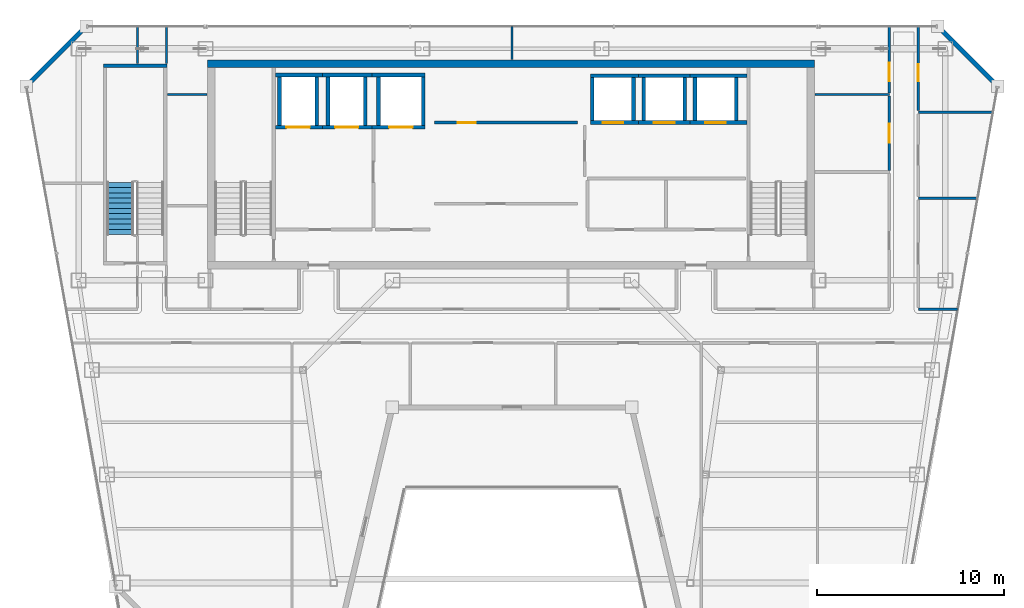
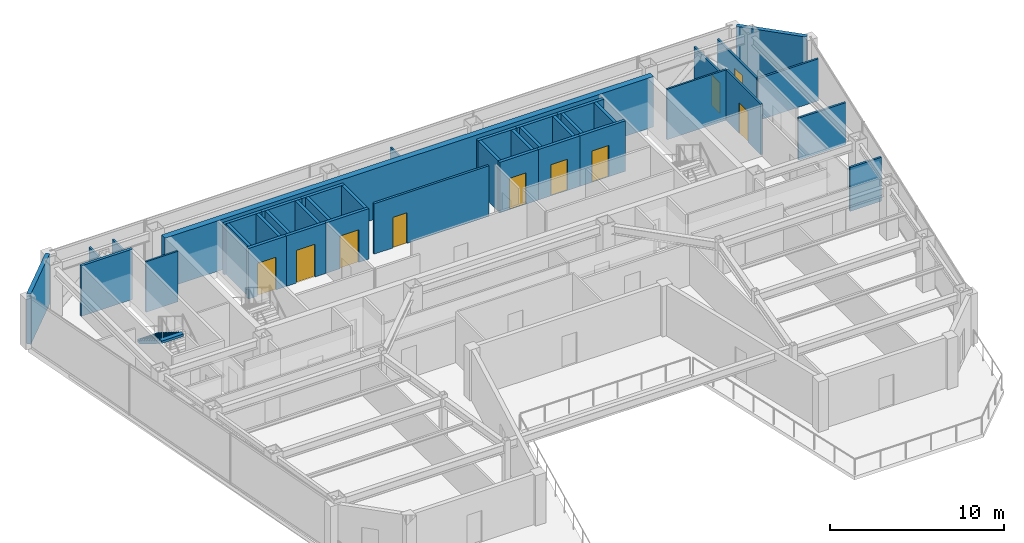
# One storey, part 22 of 28: 40 walls, 10 doors, 1 stair flight, 10 openings, 1 element without a shape of its own.
"""IFC4 building model written with IfcOpenShell, lengths in metres."""

from ifc_helpers import new_model, si_unit, direction, frame, frame_2d, origin, place, context, subcontext, project, spatial, polyline, rectangle, outline, extrude, material, layer, layer_set, type_object, element, fill, aggregate, save


model = new_model("IFC4")

# Units and contexts
model_context = context("Model", 3, precision=1e-05, world=origin(), true_north=direction((0.0, 1.0)))
body_context = subcontext(model_context, "Body", "Model", "MODEL_VIEW")
ifc_project = project(units=[si_unit("LENGTHUNIT", "METRE"), si_unit("AREAUNIT", "SQUARE_METRE"), si_unit("VOLUMEUNIT", "CUBIC_METRE"), si_unit("PLANEANGLEUNIT", "RADIAN"), si_unit("MASSUNIT", "GRAM", prefix="KILO")], contexts=[model_context])

# Site, building, storey
site_placement = place(None, origin())
site = spatial("IfcSite", under=ifc_project, at=site_placement, CompositionType="ELEMENT")
building_placement = place(site_placement, origin())
building = spatial("IfcBuilding", under=site, at=building_placement, Name="Saevonmaru Cultural Tower", CompositionType="ELEMENT")
storey_placement = place(building_placement, frame((0.0, 0.0, 253.39990234375)))
storey = spatial("IfcBuildingStorey", under=building, at=storey_placement, Name="L59", CompositionType="ELEMENT", Elevation=253.39990234375)

# Wall
ifc_material_1 = material(Name="Concrete C50/60", Category="concrete")
ifc_layer_1 = layer(ifc_material_1, 0.39990234375, Name="Concrete C50/60")
ifc_layer_set_1 = layer_set([ifc_layer_1], Name="Concrete C50/60")
wall_type_1 = type_object("IfcWallType", Name="WL-CORE-400", PredefinedType="SHEAR", material=ifc_layer_set_1)
wall_1_placement = place(storey_placement, frame((13.699951171875, 54.0, 0.0), z_axis=(0.0, 0.0, 1.0), x_axis=(1.0, 0.0, 0.0)))
element("IfcWall", 1, at=wall_1_placement, inside=storey, type_object=wall_type_1, Name="L59 Tower RC core shear wall N", PredefinedType="SHEAR", context=body_context, shape_type="SweptSolid", body=[
    extrude(rectangle(XDim=32.5, YDim=0.39990234375, at=frame_2d((16.25, 0.0))), origin(), (0.0, 0.0, 1.0), 3.550048828125),
])

# Wall, opening, door
ifc_material_2 = material(Name="Gypsum Fireboard Partition", Category="gypsum")
ifc_layer_2 = layer(ifc_material_2, 0.14990234375, Name="Gypsum Fireboard Partition")
ifc_layer_set_2 = layer_set([ifc_layer_2], Name="Gypsum Fireboard Partition")
wall_type_2 = type_object("IfcWallType", Name="WL-CORE-PART-150", PredefinedType="PARTITIONING", material=ifc_layer_set_2)
wall_2_placement = place(storey_placement, frame((25.85009765625, 50.85009765625, 0.0), z_axis=(0.0, 0.0, 1.0), x_axis=(1.0, 0.0, 0.0)))
wall_2 = element("IfcWall", 2, at=wall_2_placement, inside=storey, type_object=wall_type_2, Name="L59 Reclaimed Core Room South Wall", PredefinedType="PARTITIONING", context=body_context, shape_type="SweptSolid", body=[
    extrude(rectangle(XDim=7.64990234375, YDim=0.14990234375, at=frame_2d((3.824951171875, 0.0))), origin(), (0.0, 0.0, 1.0), 3.550048828125),
])
opening_1_placement = place(wall_2_placement, frame((1.25, 0.0, 0.0)))
opening_1 = element("IfcOpeningElement", 3, at=opening_1_placement, cuts=wall_2, Name="Opening FD-4", PredefinedType="OPENING", context=body_context, shape_type="SweptSolid", body=[
    extrude(rectangle(XDim=0.949951171875, YDim=2.14990234375, at=frame_2d((0.47509765625, 1.074951171875))), frame((0.0, 0.0849609375, 0.0), z_axis=(0.0, -1.0, 0.0), x_axis=(1.0, 0.0, 0.0)), (0.0, 0.0, 1.0), 0.169921875),
])
ifc_material_3 = material(Name="Satin Bronze Anodised Aluminium", Category="aluminium")
door_type_1 = type_object("IfcDoorType", Name="DR-FD60-950", OperationType="SINGLE_SWING_LEFT", PredefinedType="DOOR", material=ifc_material_3)
door_1_placement = place(opening_1_placement, origin())
door_1 = element("IfcDoor", 4, at=door_1_placement, inside=storey, type_object=door_type_1, Name="L59 Reclaimed Archive Vault Door", OperationType="SINGLE_SWING_LEFT", OverallHeight=2.14990234375, OverallWidth=0.949951171875, PredefinedType="DOOR", context=body_context, shape_type="SweptSolid", body=[
    extrude(rectangle(XDim=0.949951171875, YDim=2.14990234375, at=frame_2d((0.47509765625, 1.074951171875))), frame((0.0, 0.02490234375, 0.0), z_axis=(0.0, -1.0, 0.0), x_axis=(1.0, 0.0, 0.0)), (0.0, 0.0, 1.0), 0.050048828125),
])
fill(opening_1, door_1)

# Walls
ifc_material_4 = material(Name="Granite-Clad Precast Concrete C40/50", Category="masonry")
ifc_layer_3 = layer(ifc_material_4, 0.260009765625, Name="Granite-Clad Precast Concrete C40/50")
ifc_layer_set_3 = layer_set([ifc_layer_3], Name="Granite-Clad Precast Concrete C40/50")
wall_type_3 = type_object("IfcWallType", Name="WL-EXT-SPANDREL-260", PredefinedType="STANDARD", material=ifc_layer_set_3)
for number, where, z_axis, x_axis, name in (
    (5, (55.886962890625, 52.9130859375, 0.0), (0.0, 0.0, 1.0), (-0.707106781187, 0.707106781187, 0.0), "L59 Chamfer Corner Spandrel Wall E9"),
    (6, (7.0869140625, 55.886962890625, 0.0), (0.0, 0.0, 1.0), (-0.707106781187, -0.707106781187, 0.0), "L59 Chamfer Corner Spandrel Wall E11"),
):
    element("IfcWall", number, at=place(storey_placement, frame(where, z_axis=z_axis, x_axis=x_axis)), inside=storey, type_object=wall_type_3, Name=name, PredefinedType="STANDARD", context=body_context, shape_type="SweptSolid", body=[
        extrude(rectangle(XDim=4.205810546875, YDim=0.260009765625, at=frame_2d((2.10302734375, 0.0))), origin(), (0.0, 0.0, 1.0), 3.550048828125),
    ])
ifc_layer_4 = layer(ifc_material_2, 0.1201171875, Name="Gypsum Fireboard Partition")
ifc_layer_set_4 = layer_set([ifc_layer_4], Name="Gypsum Fireboard Partition")
wall_type_4 = type_object("IfcWallType", Name="WL-PART-GYP-120", PredefinedType="PARTITIONING", material=ifc_layer_set_4)
wall_3_placement = place(storey_placement, frame((46.219970703125, 52.35009765625, 0.0), z_axis=(0.0, 0.0, 1.0), x_axis=(1.0, 0.0, 0.0)))
element("IfcWall", 7, at=wall_3_placement, inside=storey, type_object=wall_type_4, Name="L59 North-East Panorama South Wall", PredefinedType="PARTITIONING", context=body_context, shape_type="SweptSolid", body=[
    extrude(rectangle(XDim=3.97998046875, YDim=0.1201171875, at=frame_2d((1.989990234375, 0.0))), origin(), (0.0, 0.0, 1.0), 3.550048828125),
])
wall_4_placement = place(storey_placement, frame((11.550048828125, 52.35009765625, 0.0), z_axis=(0.0, 0.0, 1.0), x_axis=(1.0, 0.0, 0.0)))
element("IfcWall", 8, at=wall_4_placement, inside=storey, type_object=wall_type_4, Name="L59 North-West Panorama South Wall", PredefinedType="PARTITIONING", context=body_context, shape_type="SweptSolid", body=[
    extrude(rectangle(XDim=2.1298828125, YDim=0.1201171875, at=frame_2d((1.06494140625, 0.0))), origin(), (0.0, 0.0, 1.0), 3.550048828125),
])
wall_5_placement = place(storey_placement, frame((30.0, 54.219970703125, 0.0), z_axis=(0.0, 0.0, 1.0), x_axis=(0.0, 1.0, 0.0)))
element("IfcWall", 9, at=wall_5_placement, inside=storey, type_object=wall_type_4, Name="L59 North Panorama Center Split", PredefinedType="PARTITIONING", context=body_context, shape_type="SweptSolid", body=[
    extrude(rectangle(XDim=1.775146484375, YDim=0.1201171875, at=frame_2d((0.8876953125, 0.0))), origin(), (0.0, 0.0, 1.0), 2.93505859375),
])

# Wall, opening, door
wall_6_placement = place(storey_placement, frame((50.199951171875, 48.2900390625, 0.0), z_axis=(0.0, 0.0, 1.0), x_axis=(0.0, 1.0, 0.0)))
wall_6 = element("IfcWall", 10, at=wall_6_placement, inside=storey, type_object=wall_type_4, Name="L59 Museum Espresso Cafe Corridor Wall", PredefinedType="PARTITIONING", context=body_context, shape_type="SweptSolid", body=[
    extrude(rectangle(XDim=3.97998046875, YDim=0.1201171875, at=frame_2d((1.989990234375, 0.0))), origin(), (0.0, 0.0, 1.0), 3.550048828125),
])
opening_2_placement = place(wall_6_placement, frame((1.489990234375, 0.0, 0.0)))
opening_2 = element("IfcOpeningElement", 11, at=opening_2_placement, cuts=wall_6, Name="Opening ID-1B", PredefinedType="OPENING", context=body_context, shape_type="SweptSolid", body=[
    extrude(rectangle(XDim=1.0, YDim=2.14990234375, at=frame_2d((0.5, 1.074951171875))), frame((0.0, 0.070068359375, 0.0), z_axis=(0.0, -1.0, 0.0), x_axis=(1.0, 0.0, 0.0)), (0.0, 0.0, 1.0), 0.14013671875),
])
ifc_material_5 = material(Name="Acoustic Stained Oak Timber", Category="wood")
door_type_2 = type_object("IfcDoorType", Name="DR-INT-1000", OperationType="SINGLE_SWING_RIGHT", PredefinedType="DOOR", material=ifc_material_5)
door_2_placement = place(opening_2_placement, origin())
door_2 = element("IfcDoor", 12, at=door_2_placement, inside=storey, type_object=door_type_2, Name="L59 Museum Espresso Cafe Door", OperationType="SINGLE_SWING_LEFT", OverallHeight=2.14990234375, OverallWidth=1.0, PredefinedType="DOOR", context=body_context, shape_type="SweptSolid", body=[
    extrude(rectangle(XDim=1.0, YDim=2.14990234375, at=frame_2d((0.5, 1.074951171875))), frame((0.0, 0.02490234375, 0.0), z_axis=(0.0, -1.0, 0.0), x_axis=(1.0, 0.0, 0.0)), (0.0, 0.0, 1.0), 0.050048828125),
])
fill(opening_2, door_2)

wall_7_placement = place(storey_placement, frame((50.199951171875, 52.429931640625, 0.0), z_axis=(0.0, 0.0, 1.0), x_axis=(0.0, 1.0, 0.0)))
wall_7 = element("IfcWall", 13, at=wall_7_placement, inside=storey, type_object=wall_type_4, Name="L59 Panoramic Salon Restaurant Corridor Wall", PredefinedType="PARTITIONING", context=body_context, shape_type="SweptSolid", body=[
    extrude(rectangle(XDim=3.565185546875, YDim=0.1201171875, at=frame_2d((1.78271484375, 0.0))), origin(), (0.0, 0.0, 1.0), 2.93505859375),
])
opening_3_placement = place(wall_7_placement, frame((0.6220703125, 0.0, 0.0)))
opening_3 = element("IfcOpeningElement", 14, at=opening_3_placement, cuts=wall_7, Name="Opening ID-1B", PredefinedType="OPENING", context=body_context, shape_type="SweptSolid", body=[
    extrude(rectangle(XDim=1.0, YDim=2.14990234375, at=frame_2d((0.5, 1.074951171875))), frame((0.0, 0.070068359375, 0.0), z_axis=(0.0, -1.0, 0.0), x_axis=(1.0, 0.0, 0.0)), (0.0, 0.0, 1.0), 0.14013671875),
])
door_3_placement = place(opening_3_placement, origin())
door_3 = element("IfcDoor", 15, at=door_3_placement, inside=storey, type_object=door_type_2, Name="L59 Panoramic Salon Restaurant Door", OperationType="SINGLE_SWING_RIGHT", OverallHeight=2.14990234375, OverallWidth=1.0, PredefinedType="DOOR", context=body_context, shape_type="SweptSolid", body=[
    extrude(rectangle(XDim=1.0, YDim=2.14990234375, at=frame_2d((0.5, 1.074951171875))), frame((0.0, 0.02490234375, 0.0), z_axis=(0.0, -1.0, 0.0), x_axis=(1.0, 0.0, 0.0)), (0.0, 0.0, 1.0), 0.050048828125),
])
fill(opening_3, door_3)

# Walls
for number, where, z_axis, x_axis, name in (
    (16, (11.5, 54.0, 0.0), (0.0, 0.0, 1.0), (0.0, 1.0, 0.0), "L59 Terrace Overlook Cafe Corridor Wall"),
    (17, (9.949951171875, 54.0, 0.0), (0.0, 0.0, 1.0), (0.0, 1.0, 0.0), "L59 Panoramic Salon Restaurant Corridor Wall"),
):
    element("IfcWall", number, at=place(storey_placement, frame(where, z_axis=z_axis, x_axis=x_axis)), inside=storey, type_object=wall_type_4, Name=name, PredefinedType="PARTITIONING", context=body_context, shape_type="SweptSolid", body=[
        extrude(rectangle(XDim=1.9951171875, YDim=0.1201171875, at=frame_2d((0.99755859375, 0.0))), origin(), (0.0, 0.0, 1.0), 2.93505859375),
    ])

# Wall, opening, door
wall_8_placement = place(storey_placement, frame((51.75, 51.487548828125, 0.0), z_axis=(0.0, 0.0, 1.0), x_axis=(0.0, 1.0, 0.0)))
wall_8 = element("IfcWall", 18, at=wall_8_placement, inside=storey, type_object=wall_type_4, Name="L59 Visiting Fellows Office Corridor Wall", PredefinedType="PARTITIONING", context=body_context, shape_type="SweptSolid", body=[
    extrude(rectangle(XDim=4.507568359375, YDim=0.1201171875, at=frame_2d((2.25390625, 0.0))), origin(), (0.0, 0.0, 1.0), 2.93505859375),
])
opening_4_placement = place(wall_8_placement, frame((1.583984375, 0.0, 0.0)))
opening_4 = element("IfcOpeningElement", 19, at=opening_4_placement, cuts=wall_8, Name="Opening ID-2", PredefinedType="OPENING", context=body_context, shape_type="SweptSolid", body=[
    extrude(rectangle(XDim=0.89990234375, YDim=2.10009765625, at=frame_2d((0.449951171875, 1.050048828125))), frame((0.0, 0.070068359375, 0.0), z_axis=(0.0, -1.0, 0.0), x_axis=(1.0, 0.0, 0.0)), (0.0, 0.0, 1.0), 0.14013671875),
])
door_type_3 = type_object("IfcDoorType", Name="DR-INT-900", OperationType="SINGLE_SWING_RIGHT", PredefinedType="DOOR", material=ifc_material_5)
door_4_placement = place(opening_4_placement, origin())
door_4 = element("IfcDoor", 20, at=door_4_placement, inside=storey, type_object=door_type_3, Name="L59 Visiting Fellows Office Door", OperationType="SINGLE_SWING_LEFT", OverallHeight=2.10009765625, OverallWidth=0.89990234375, PredefinedType="DOOR", context=body_context, shape_type="SweptSolid", body=[
    extrude(rectangle(XDim=0.89990234375, YDim=2.10009765625, at=frame_2d((0.449951171875, 1.050048828125))), frame((0.0, 0.02490234375, 0.0), z_axis=(0.0, -1.0, 0.0), x_axis=(1.0, 0.0, 0.0)), (0.0, 0.0, 1.0), 0.050048828125),
])
fill(opening_4, door_4)

# Walls
ifc_layer_5 = layer(ifc_material_2, 0.135009765625, Name="Gypsum Fireboard Partition")
ifc_layer_set_5 = layer_set([ifc_layer_5], Name="Gypsum Fireboard Partition")
wall_type_5 = type_object("IfcWallType", Name="WL-PART-GYP-135", PredefinedType="PARTITIONING", material=ifc_layer_set_5)
wall_9_placement = place(storey_placement, frame((51.75, 40.85009765625, 0.0), z_axis=(0.0, 0.0, 1.0), x_axis=(1.0, 0.0, 0.0)))
element("IfcWall", 21, at=wall_9_placement, inside=storey, type_object=wall_type_5, Name="L59 NE Wing South Wall", PredefinedType="PARTITIONING", context=body_context, shape_type="SweptSolid", body=[
    extrude(rectangle(XDim=2.106689453125, YDim=0.135009765625, at=frame_2d((1.05322265625, 0.0))), origin(), (0.0, 0.0, 1.0), 3.085205078125),
])
wall_10_placement = place(storey_placement, frame((51.75, 46.800048828125, 0.0), z_axis=(0.0, 0.0, 1.0), x_axis=(1.0, 0.0, 0.0)))
element("IfcWall", 22, at=wall_10_placement, inside=storey, type_object=wall_type_5, Name="L59 NE Studio Divider 1", PredefinedType="PARTITIONING", context=body_context, shape_type="SweptSolid", body=[
    extrude(rectangle(XDim=3.17138671875, YDim=0.135009765625, at=frame_2d((1.585693359375, 0.0))), origin(), (0.0, 0.0, 1.0), 2.947021484375),
])
wall_11_placement = place(storey_placement, frame((51.75, 51.39990234375, 0.0), z_axis=(0.0, 0.0, 1.0), x_axis=(1.0, 0.0, 0.0)))
element("IfcWall", 23, at=wall_11_placement, inside=storey, type_object=wall_type_5, Name="L59 NE Studio Divider 2", PredefinedType="PARTITIONING", context=body_context, shape_type="SweptSolid", body=[
    extrude(rectangle(XDim=3.994384765625, YDim=0.135009765625, at=frame_2d((1.9970703125, 0.0))), origin(), (0.0, 0.0, 1.0), 2.947021484375),
])

# Wall, opening, door
ifc_material_6 = material(Name="Concrete C40/50", Category="concrete")
ifc_layer_6 = layer(ifc_material_6, 0.199951171875, Name="Concrete C40/50")
ifc_layer_set_6 = layer_set([ifc_layer_6], Name="Concrete C40/50")
wall_type_6 = type_object("IfcWallType", Name="WL-SHAFT-200", PredefinedType="SHEAR", material=ifc_layer_set_6)
wall_12_placement = place(storey_placement, frame((17.330078125, 50.60009765625, 0.0), z_axis=(0.0, 0.0, 1.0), x_axis=(1.0, 0.0, 0.0)))
wall_12 = element("IfcWall", 24, at=wall_12_placement, inside=storey, type_object=wall_type_6, Name="L59 Lift FFL-1 Hoistway Wall S", PredefinedType="SHEAR", context=body_context, shape_type="SweptSolid", body=[
    extrude(rectangle(XDim=2.52001953125, YDim=0.199951171875, at=frame_2d((1.260009765625, 0.0))), origin(), (0.0, 0.0, 1.0), 3.550048828125),
])
opening_5_placement = place(wall_12_placement, frame((0.594970703125, 0.0, 0.0)))
opening_5 = element("IfcOpeningElement", 25, at=opening_5_placement, cuts=wall_12, Name="Opening LD-2", PredefinedType="OPENING", context=body_context, shape_type="SweptSolid", body=[
    extrude(rectangle(XDim=1.25, YDim=2.300048828125, at=frame_2d((0.625, 1.14990234375))), frame((0.0, 0.10986328125, 0.0), z_axis=(0.0, -1.0, 0.0), x_axis=(1.0, 0.0, 0.0)), (0.0, 0.0, 1.0), 0.219970703125),
])
ifc_material_7 = material(Name="Stainless Steel 316", Category="steel")
door_type_4 = type_object("IfcDoorType", Name="DR-LIFT-1250", OperationType="SLIDING_TO_LEFT", PredefinedType="DOOR", material=ifc_material_7)
door_5_placement = place(opening_5_placement, origin())
door_5 = element("IfcDoor", 26, at=door_5_placement, inside=storey, type_object=door_type_4, Name="L59 Lift FFL-1 Sliding Landing Door", OperationType="SLIDING_TO_LEFT", OverallHeight=2.300048828125, OverallWidth=1.25, PredefinedType="DOOR", context=body_context, shape_type="SweptSolid", body=[
    extrude(rectangle(XDim=1.25, YDim=2.300048828125, at=frame_2d((0.625, 1.14990234375))), frame((0.0, 0.02490234375, 0.0), z_axis=(0.0, -1.0, 0.0), x_axis=(1.0, 0.0, 0.0)), (0.0, 0.0, 1.0), 0.050048828125),
])
fill(opening_5, door_5)

# Walls
wall_13_placement = place(storey_placement, frame((17.330078125, 53.39990234375, 0.0), z_axis=(0.0, 0.0, 1.0), x_axis=(1.0, 0.0, 0.0)))
element("IfcWall", 27, at=wall_13_placement, inside=storey, type_object=wall_type_6, Name="L59 Lift FFL-1 Hoistway Wall N", PredefinedType="SHEAR", context=body_context, shape_type="SweptSolid", body=[
    extrude(rectangle(XDim=2.52001953125, YDim=0.199951171875, at=frame_2d((1.260009765625, 0.0))), origin(), (0.0, 0.0, 1.0), 3.550048828125),
])
for number, where, z_axis, x_axis, name in (
    (28, (17.550048828125, 50.699951171875, 0.0), (0.0, 0.0, 1.0), (0.0, 1.0, 0.0), "L59 Lift FFL-1 Hoistway Wall W"),
    (29, (19.550048828125, 50.699951171875, 0.0), (0.0, 0.0, 1.0), (0.0, 1.0, 0.0), "L59 Lift FFL-1 Hoistway Wall E"),
):
    element("IfcWall", number, at=place(storey_placement, frame(where, z_axis=z_axis, x_axis=x_axis)), inside=storey, type_object=wall_type_6, Name=name, PredefinedType="SHEAR", context=body_context, shape_type="SweptSolid", body=[
        extrude(rectangle(XDim=2.60009765625, YDim=0.199951171875, at=frame_2d((1.300048828125, 0.0))), origin(), (0.0, 0.0, 1.0), 3.550048828125),
    ])

# Wall, opening, door
wall_14_placement = place(storey_placement, frame((19.85009765625, 50.60009765625, 0.0), z_axis=(0.0, 0.0, 1.0), x_axis=(1.0, 0.0, 0.0)))
wall_14 = element("IfcWall", 30, at=wall_14_placement, inside=storey, type_object=wall_type_6, Name="L59 Lift FFL-2 Hoistway Wall S", PredefinedType="SHEAR", context=body_context, shape_type="SweptSolid", body=[
    extrude(rectangle(XDim=2.64990234375, YDim=0.199951171875, at=frame_2d((1.324951171875, 0.0))), origin(), (0.0, 0.0, 1.0), 3.550048828125),
])
opening_6_placement = place(wall_14_placement, frame((0.675048828125, 0.0, 0.0)))
opening_6 = element("IfcOpeningElement", 31, at=opening_6_placement, cuts=wall_14, Name="Opening LD-2", PredefinedType="OPENING", context=body_context, shape_type="SweptSolid", body=[
    extrude(rectangle(XDim=1.25, YDim=2.300048828125, at=frame_2d((0.625, 1.14990234375))), frame((0.0, 0.10986328125, 0.0), z_axis=(0.0, -1.0, 0.0), x_axis=(1.0, 0.0, 0.0)), (0.0, 0.0, 1.0), 0.219970703125),
])
door_6_placement = place(opening_6_placement, origin())
door_6 = element("IfcDoor", 32, at=door_6_placement, inside=storey, type_object=door_type_4, Name="L59 Lift FFL-2 Sliding Landing Door", OperationType="SLIDING_TO_LEFT", OverallHeight=2.300048828125, OverallWidth=1.25, PredefinedType="DOOR", context=body_context, shape_type="SweptSolid", body=[
    extrude(rectangle(XDim=1.25, YDim=2.300048828125, at=frame_2d((0.625, 1.14990234375))), frame((0.0, 0.02490234375, 0.0), z_axis=(0.0, -1.0, 0.0), x_axis=(1.0, 0.0, 0.0)), (0.0, 0.0, 1.0), 0.050048828125),
])
fill(opening_6, door_6)

# Walls
wall_15_placement = place(storey_placement, frame((19.85009765625, 53.39990234375, 0.0), z_axis=(0.0, 0.0, 1.0), x_axis=(1.0, 0.0, 0.0)))
element("IfcWall", 33, at=wall_15_placement, inside=storey, type_object=wall_type_6, Name="L59 Lift FFL-2 Hoistway Wall N", PredefinedType="SHEAR", context=body_context, shape_type="SweptSolid", body=[
    extrude(rectangle(XDim=2.64990234375, YDim=0.199951171875, at=frame_2d((1.324951171875, 0.0))), origin(), (0.0, 0.0, 1.0), 3.550048828125),
])
for number, where, z_axis, x_axis, name in (
    (34, (20.14990234375, 50.699951171875, 0.0), (0.0, 0.0, 1.0), (0.0, 1.0, 0.0), "L59 Lift FFL-2 Hoistway Wall W"),
    (35, (22.14990234375, 50.699951171875, 0.0), (0.0, 0.0, 1.0), (0.0, 1.0, 0.0), "L59 Lift FFL-2 Hoistway Wall E"),
):
    element("IfcWall", number, at=place(storey_placement, frame(where, z_axis=z_axis, x_axis=x_axis)), inside=storey, type_object=wall_type_6, Name=name, PredefinedType="SHEAR", context=body_context, shape_type="SweptSolid", body=[
        extrude(rectangle(XDim=2.60009765625, YDim=0.199951171875, at=frame_2d((1.300048828125, 0.0))), origin(), (0.0, 0.0, 1.0), 3.550048828125),
    ])

# Wall, opening, door
wall_16_placement = place(storey_placement, frame((22.5, 50.60009765625, 0.0), z_axis=(0.0, 0.0, 1.0), x_axis=(1.0, 0.0, 0.0)))
wall_16 = element("IfcWall", 36, at=wall_16_placement, inside=storey, type_object=wall_type_6, Name="L59 Lift GL-1 Hoistway Wall S", PredefinedType="SHEAR", context=body_context, shape_type="SweptSolid", body=[
    extrude(rectangle(XDim=2.85009765625, YDim=0.199951171875, at=frame_2d((1.425048828125, 0.0))), origin(), (0.0, 0.0, 1.0), 3.550048828125),
])
opening_7_placement = place(wall_16_placement, frame((0.925048828125, 0.0, 0.0)))
opening_7 = element("IfcOpeningElement", 37, at=opening_7_placement, cuts=wall_16, Name="Opening LD-2", PredefinedType="OPENING", context=body_context, shape_type="SweptSolid", body=[
    extrude(rectangle(XDim=1.25, YDim=2.300048828125, at=frame_2d((0.625, 1.14990234375))), frame((0.0, 0.10986328125, 0.0), z_axis=(0.0, -1.0, 0.0), x_axis=(1.0, 0.0, 0.0)), (0.0, 0.0, 1.0), 0.219970703125),
])
door_7_placement = place(opening_7_placement, origin())
door_7 = element("IfcDoor", 38, at=door_7_placement, inside=storey, type_object=door_type_4, Name="L59 Lift GL-1 Sliding Landing Door", OperationType="SLIDING_TO_LEFT", OverallHeight=2.300048828125, OverallWidth=1.25, PredefinedType="DOOR", context=body_context, shape_type="SweptSolid", body=[
    extrude(rectangle(XDim=1.25, YDim=2.300048828125, at=frame_2d((0.625, 1.14990234375))), frame((0.0, 0.02490234375, 0.0), z_axis=(0.0, -1.0, 0.0), x_axis=(1.0, 0.0, 0.0)), (0.0, 0.0, 1.0), 0.050048828125),
])
fill(opening_7, door_7)

# Walls
wall_17_placement = place(storey_placement, frame((22.5, 53.39990234375, 0.0), z_axis=(0.0, 0.0, 1.0), x_axis=(1.0, 0.0, 0.0)))
element("IfcWall", 39, at=wall_17_placement, inside=storey, type_object=wall_type_6, Name="L59 Lift GL-1 Hoistway Wall N", PredefinedType="SHEAR", context=body_context, shape_type="SweptSolid", body=[
    extrude(rectangle(XDim=2.85009765625, YDim=0.199951171875, at=frame_2d((1.425048828125, 0.0))), origin(), (0.0, 0.0, 1.0), 3.550048828125),
])
for number, where, z_axis, x_axis, name in (
    (40, (22.85009765625, 50.699951171875, 0.0), (0.0, 0.0, 1.0), (0.0, 1.0, 0.0), "L59 Lift GL-1 Hoistway Wall W"),
    (41, (25.25, 50.699951171875, 0.0), (0.0, 0.0, 1.0), (0.0, 1.0, 0.0), "L59 Lift GL-1 Hoistway Wall E"),
):
    element("IfcWall", number, at=place(storey_placement, frame(where, z_axis=z_axis, x_axis=x_axis)), inside=storey, type_object=wall_type_6, Name=name, PredefinedType="SHEAR", context=body_context, shape_type="SweptSolid", body=[
        extrude(rectangle(XDim=2.60009765625, YDim=0.199951171875, at=frame_2d((1.300048828125, 0.0))), origin(), (0.0, 0.0, 1.0), 3.550048828125),
    ])

# Wall, opening, door
wall_18_placement = place(storey_placement, frame((34.199951171875, 50.85009765625, 0.0), z_axis=(0.0, 0.0, 1.0), x_axis=(1.0, 0.0, 0.0)))
wall_18 = element("IfcWall", 42, at=wall_18_placement, inside=storey, type_object=wall_type_6, Name="L59 Lift PL-H1 Hoistway Wall S", PredefinedType="SHEAR", context=body_context, shape_type="SweptSolid", body=[
    extrude(rectangle(XDim=2.574951171875, YDim=0.199951171875, at=frame_2d((1.28759765625, 0.0))), origin(), (0.0, 0.0, 1.0), 3.550048828125),
])
opening_8_placement = place(wall_18_placement, frame((0.64990234375, 0.0, 0.0)))
opening_8 = element("IfcOpeningElement", 43, at=opening_8_placement, cuts=wall_18, Name="Opening LD-1", PredefinedType="OPENING", context=body_context, shape_type="SweptSolid", body=[
    extrude(rectangle(XDim=1.10009765625, YDim=2.199951171875, at=frame_2d((0.550048828125, 1.10009765625))), frame((0.0, 0.10986328125, 0.0), z_axis=(0.0, -1.0, 0.0), x_axis=(1.0, 0.0, 0.0)), (0.0, 0.0, 1.0), 0.219970703125),
])
ifc_material_8 = material(Name="Satin Bronze Stainless Steel", Category="steel")
door_type_5 = type_object("IfcDoorType", Name="DR-LIFT-1100", OperationType="SLIDING_TO_LEFT", PredefinedType="DOOR", material=ifc_material_8)
door_8_placement = place(opening_8_placement, origin())
door_8 = element("IfcDoor", 44, at=door_8_placement, inside=storey, type_object=door_type_5, Name="L59 Lift PL-H1 Sliding Landing Door", OperationType="SLIDING_TO_LEFT", OverallHeight=2.199951171875, OverallWidth=1.10009765625, PredefinedType="DOOR", context=body_context, shape_type="SweptSolid", body=[
    extrude(rectangle(XDim=1.10009765625, YDim=2.199951171875, at=frame_2d((0.550048828125, 1.10009765625))), frame((0.0, 0.02490234375, 0.0), z_axis=(0.0, -1.0, 0.0), x_axis=(1.0, 0.0, 0.0)), (0.0, 0.0, 1.0), 0.050048828125),
])
fill(opening_8, door_8)

# Walls
wall_19_placement = place(storey_placement, frame((34.199951171875, 53.35009765625, 0.0), z_axis=(0.0, 0.0, 1.0), x_axis=(1.0, 0.0, 0.0)))
element("IfcWall", 45, at=wall_19_placement, inside=storey, type_object=wall_type_6, Name="L59 Lift PL-H1 Hoistway Wall N", PredefinedType="SHEAR", context=body_context, shape_type="SweptSolid", body=[
    extrude(rectangle(XDim=2.574951171875, YDim=0.199951171875, at=frame_2d((1.28759765625, 0.0))), origin(), (0.0, 0.0, 1.0), 3.550048828125),
])
for number, where, z_axis, x_axis, name in (
    (46, (34.300048828125, 50.949951171875, 0.0), (0.0, 0.0, 1.0), (0.0, 1.0, 0.0), "L59 Lift PL-H1 Hoistway Wall W"),
    (47, (36.5, 50.949951171875, 0.0), (0.0, 0.0, 1.0), (0.0, 1.0, 0.0), "L59 Lift PL-H1 Hoistway Wall E"),
):
    element("IfcWall", number, at=place(storey_placement, frame(where, z_axis=z_axis, x_axis=x_axis)), inside=storey, type_object=wall_type_6, Name=name, PredefinedType="SHEAR", context=body_context, shape_type="SweptSolid", body=[
        extrude(rectangle(XDim=2.300048828125, YDim=0.199951171875, at=frame_2d((1.14990234375, 0.0))), origin(), (0.0, 0.0, 1.0), 3.550048828125),
    ])

# Wall, opening, door
wall_20_placement = place(storey_placement, frame((36.77490234375, 50.85009765625, 0.0), z_axis=(0.0, 0.0, 1.0), x_axis=(1.0, 0.0, 0.0)))
wall_20 = element("IfcWall", 48, at=wall_20_placement, inside=storey, type_object=wall_type_6, Name="L59 Lift PL-H2 Hoistway Wall S", PredefinedType="SHEAR", context=body_context, shape_type="SweptSolid", body=[
    extrude(rectangle(XDim=2.75, YDim=0.199951171875, at=frame_2d((1.375, 0.0))), origin(), (0.0, 0.0, 1.0), 3.550048828125),
])
opening_9_placement = place(wall_20_placement, frame((0.824951171875, 0.0, 0.0)))
opening_9 = element("IfcOpeningElement", 49, at=opening_9_placement, cuts=wall_20, Name="Opening LD-1", PredefinedType="OPENING", context=body_context, shape_type="SweptSolid", body=[
    extrude(rectangle(XDim=1.10009765625, YDim=2.199951171875, at=frame_2d((0.550048828125, 1.10009765625))), frame((0.0, 0.10986328125, 0.0), z_axis=(0.0, -1.0, 0.0), x_axis=(1.0, 0.0, 0.0)), (0.0, 0.0, 1.0), 0.219970703125),
])
door_9_placement = place(opening_9_placement, origin())
door_9 = element("IfcDoor", 50, at=door_9_placement, inside=storey, type_object=door_type_5, Name="L59 Lift PL-H2 Sliding Landing Door", OperationType="SLIDING_TO_LEFT", OverallHeight=2.199951171875, OverallWidth=1.10009765625, PredefinedType="DOOR", context=body_context, shape_type="SweptSolid", body=[
    extrude(rectangle(XDim=1.10009765625, YDim=2.199951171875, at=frame_2d((0.550048828125, 1.10009765625))), frame((0.0, 0.02490234375, 0.0), z_axis=(0.0, -1.0, 0.0), x_axis=(1.0, 0.0, 0.0)), (0.0, 0.0, 1.0), 0.050048828125),
])
fill(opening_9, door_9)

# Walls
wall_21_placement = place(storey_placement, frame((36.77490234375, 53.35009765625, 0.0), z_axis=(0.0, 0.0, 1.0), x_axis=(1.0, 0.0, 0.0)))
element("IfcWall", 51, at=wall_21_placement, inside=storey, type_object=wall_type_6, Name="L59 Lift PL-H2 Hoistway Wall N", PredefinedType="SHEAR", context=body_context, shape_type="SweptSolid", body=[
    extrude(rectangle(XDim=2.75, YDim=0.199951171875, at=frame_2d((1.375, 0.0))), origin(), (0.0, 0.0, 1.0), 3.550048828125),
])
for number, where, z_axis, x_axis, name in (
    (52, (37.050048828125, 50.949951171875, 0.0), (0.0, 0.0, 1.0), (0.0, 1.0, 0.0), "L59 Lift PL-H2 Hoistway Wall W"),
    (53, (39.25, 50.949951171875, 0.0), (0.0, 0.0, 1.0), (0.0, 1.0, 0.0), "L59 Lift PL-H2 Hoistway Wall E"),
):
    element("IfcWall", number, at=place(storey_placement, frame(where, z_axis=z_axis, x_axis=x_axis)), inside=storey, type_object=wall_type_6, Name=name, PredefinedType="SHEAR", context=body_context, shape_type="SweptSolid", body=[
        extrude(rectangle(XDim=2.300048828125, YDim=0.199951171875, at=frame_2d((1.14990234375, 0.0))), origin(), (0.0, 0.0, 1.0), 3.550048828125),
    ])

# Wall, opening, door
wall_22_placement = place(storey_placement, frame((39.52490234375, 50.85009765625, 0.0), z_axis=(0.0, 0.0, 1.0), x_axis=(1.0, 0.0, 0.0)))
wall_22 = element("IfcWall", 54, at=wall_22_placement, inside=storey, type_object=wall_type_6, Name="L59 Lift PL-H3 Hoistway Wall S", PredefinedType="SHEAR", context=body_context, shape_type="SweptSolid", body=[
    extrude(rectangle(XDim=3.045166015625, YDim=0.199951171875, at=frame_2d((1.5224609375, 0.0))), origin(), (0.0, 0.0, 1.0), 3.550048828125),
])
opening_10_placement = place(wall_22_placement, frame((0.824951171875, 0.0, 0.0)))
opening_10 = element("IfcOpeningElement", 55, at=opening_10_placement, cuts=wall_22, Name="Opening LD-1", PredefinedType="OPENING", context=body_context, shape_type="SweptSolid", body=[
    extrude(rectangle(XDim=1.10009765625, YDim=2.199951171875, at=frame_2d((0.550048828125, 1.10009765625))), frame((0.0, 0.10986328125, 0.0), z_axis=(0.0, -1.0, 0.0), x_axis=(1.0, 0.0, 0.0)), (0.0, 0.0, 1.0), 0.219970703125),
])
door_10_placement = place(opening_10_placement, origin())
door_10 = element("IfcDoor", 56, at=door_10_placement, inside=storey, type_object=door_type_5, Name="L59 Lift PL-H3 Sliding Landing Door", OperationType="SLIDING_TO_LEFT", OverallHeight=2.199951171875, OverallWidth=1.10009765625, PredefinedType="DOOR", context=body_context, shape_type="SweptSolid", body=[
    extrude(rectangle(XDim=1.10009765625, YDim=2.199951171875, at=frame_2d((0.550048828125, 1.10009765625))), frame((0.0, 0.02490234375, 0.0), z_axis=(0.0, -1.0, 0.0), x_axis=(1.0, 0.0, 0.0)), (0.0, 0.0, 1.0), 0.050048828125),
])
fill(opening_10, door_10)

# Walls
wall_23_placement = place(storey_placement, frame((39.52490234375, 53.35009765625, 0.0), z_axis=(0.0, 0.0, 1.0), x_axis=(1.0, 0.0, 0.0)))
element("IfcWall", 57, at=wall_23_placement, inside=storey, type_object=wall_type_6, Name="L59 Lift PL-H3 Hoistway Wall N", PredefinedType="SHEAR", context=body_context, shape_type="SweptSolid", body=[
    extrude(rectangle(XDim=3.045166015625, YDim=0.199951171875, at=frame_2d((1.5224609375, 0.0))), origin(), (0.0, 0.0, 1.0), 3.550048828125),
])
for number, where, z_axis, x_axis, name in (
    (58, (39.800048828125, 50.949951171875, 0.0), (0.0, 0.0, 1.0), (0.0, 1.0, 0.0), "L59 Lift PL-H3 Hoistway Wall W"),
    (59, (42.0, 50.949951171875, 0.0), (0.0, 0.0, 1.0), (0.0, 1.0, 0.0), "L59 Lift PL-H3 Hoistway Wall E"),
):
    element("IfcWall", number, at=place(storey_placement, frame(where, z_axis=z_axis, x_axis=x_axis)), inside=storey, type_object=wall_type_6, Name=name, PredefinedType="SHEAR", context=body_context, shape_type="SweptSolid", body=[
        extrude(rectangle(XDim=2.300048828125, YDim=0.199951171875, at=frame_2d((1.14990234375, 0.0))), origin(), (0.0, 0.0, 1.0), 3.550048828125),
    ])
ifc_layer_7 = layer(ifc_material_6, 0.179931640625, Name="Concrete C40/50")
ifc_layer_set_7 = layer_set([ifc_layer_7], Name="Concrete C40/50")
wall_type_7 = type_object("IfcWallType", Name="WL-STSHAFT-180", PredefinedType="SHEAR", material=ifc_layer_set_7)
wall_24_placement = place(storey_placement, frame((11.530029296875, 53.889892578125, 0.0), z_axis=(0.0, 0.0, 1.0), x_axis=(-1.0, 0.0, 0.0)))
element("IfcWall", 60, at=wall_24_placement, inside=storey, type_object=wall_type_7, Name="L59 Stair ST-3 Structural Shaft Wall 3", PredefinedType="SHEAR", context=body_context, shape_type="SweptSolid", body=[
    extrude(rectangle(XDim=3.409912109375, YDim=0.179931640625, at=frame_2d((1.705078125, 0.0))), origin(), (0.0, 0.0, 1.0), 3.550048828125),
])

# Stair, stair flight
stair_type = type_object("IfcStairType", Name="STR-DOGLEG-RC", PredefinedType="HALF_TURN_STAIR", material=ifc_material_6)
stair_placement = place(storey_placement, origin())
stair = element("IfcStair", 61, at=stair_placement, inside=storey, type_object=stair_type, Name="L59 Protected exit stair ST-3", PredefinedType="HALF_TURN_STAIR")
ifc_material_9 = material(Name="Precast concrete C40/50", Category="concrete")
stair_flight_type = type_object("IfcStairFlightType", Name="STF-PRECAST-180", PredefinedType="STRAIGHT", material=ifc_material_9)
stair_flight_placement = place(storey_placement, frame((9.02490234375, 47.64990234375, 1.900146484375), z_axis=(0.0, 0.0, 1.0), x_axis=(0.0, -1.0, 0.0)))
stair_flight = element("IfcStairFlight", 62, at=stair_flight_placement, type_object=stair_flight_type, Name="ST-3-L59 flight 2", NumberOfRisers=11, NumberOfTreads=10, PredefinedType="STRAIGHT", RiserHeight=0.172727273, TreadLength=0.28, context=body_context, shape_type="SweptSolid", body=[
    extrude(outline(polyline([(0.0, 0.0), (0.0, 0.172607421875), (0.280029296875, 0.172607421875), (0.280029296875, 0.345458984375), (0.56005859375, 0.345458984375), (0.56005859375, 0.51806640625), (0.840087890625, 0.51806640625), (0.840087890625, 0.69091796875), (1.1201171875, 0.69091796875), (1.1201171875, 0.863525390625), (1.39990234375, 0.863525390625), (1.39990234375, 1.036376953125), (1.679931640625, 1.036376953125), (1.679931640625, 1.208984375), (1.9599609375, 1.208984375), (1.9599609375, 1.3818359375), (2.239990234375, 1.3818359375), (2.239990234375, 1.554443359375), (2.52001953125, 1.554443359375), (2.52001953125, 1.727294921875), (2.800048828125, 1.727294921875), (2.800048828125, 1.89990234375), (2.800048828125, 1.551025390625), (0.285400390625, 0.0), (0.0, 0.0)])), frame((0.0, 0.72509765625, 0.0), z_axis=(0.0, -1.0, 0.0), x_axis=(1.0, 0.0, 0.0)), (0.0, 0.0, 1.0), 1.449951171875),
])
aggregate(stair, [stair_flight])

save(model, "model.ifc")
